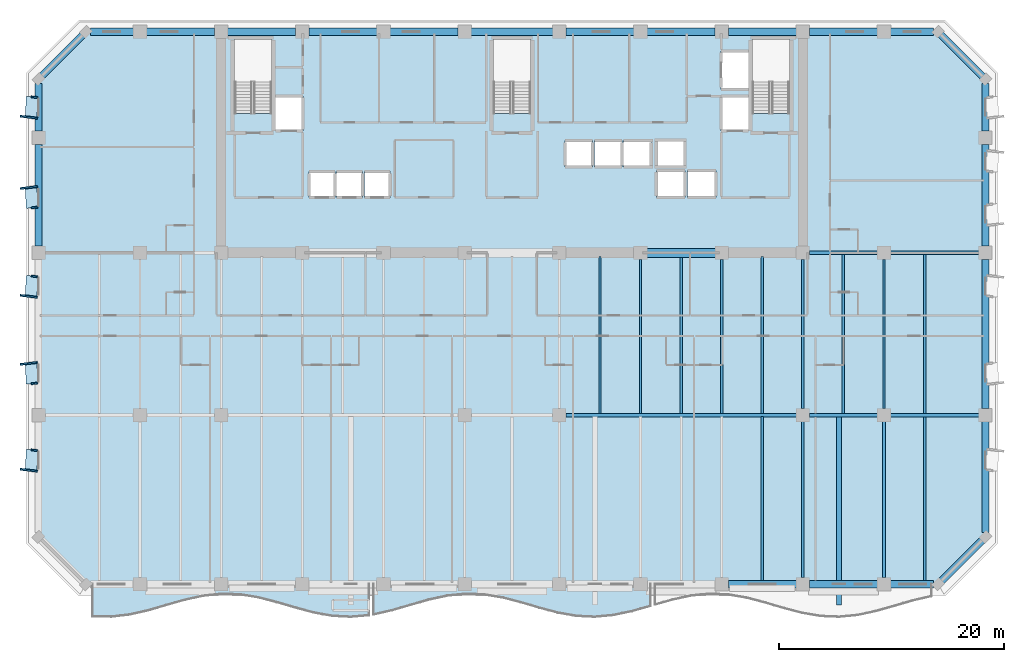
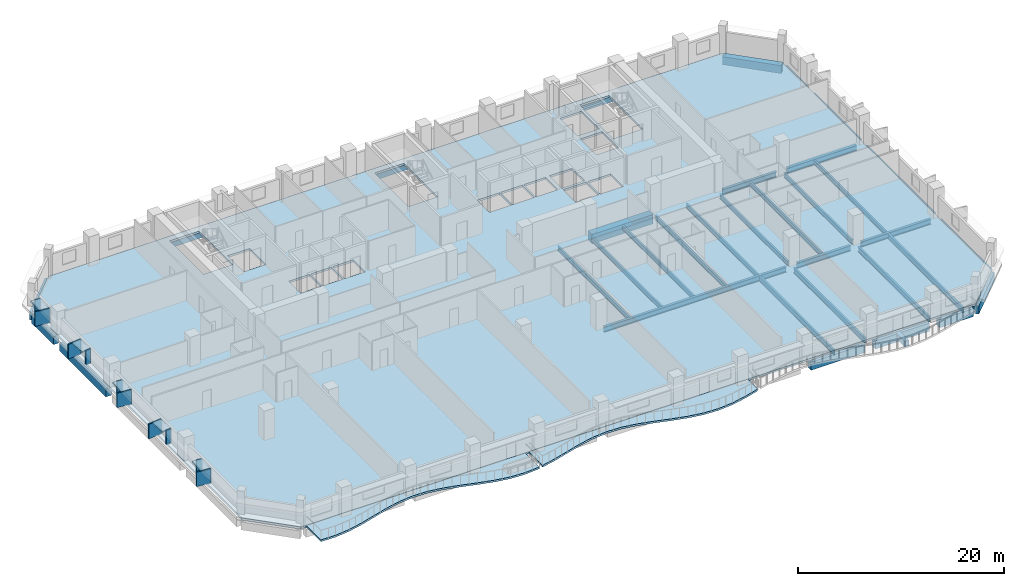
# One storey, part 2 of 15: 43 beams, 15 plates, 3 slabs.
"""IFC4 building model written with IfcOpenShell, lengths in metres."""

from ifc_helpers import new_model, si_unit, direction, frame, origin, origin_2d, place, context, subcontext, project, spatial, polyline, rectangle, i_section, outline, extrude, material, layer, layer_set, material_profile, profile_set, type_object, element, save


model = new_model("IFC4")

# Units and contexts
model_context = context("Model", 3, precision=1e-05, world=origin(), true_north=direction((0.0, 1.0)))
body_context = subcontext(model_context, "Body", "Model", "MODEL_VIEW")
ifc_project = project(units=[si_unit("LENGTHUNIT", "METRE"), si_unit("AREAUNIT", "SQUARE_METRE"), si_unit("VOLUMEUNIT", "CUBIC_METRE"), si_unit("PLANEANGLEUNIT", "RADIAN"), si_unit("MASSUNIT", "GRAM", prefix="KILO")], contexts=[model_context])

# Site, building, storey
site_placement = place(None, origin())
site = spatial("IfcSite", under=ifc_project, at=site_placement, CompositionType="ELEMENT")
building_placement = place(site_placement, origin())
building = spatial("IfcBuilding", under=site, at=building_placement, Name="Kaelvorn Grand Hotel", CompositionType="ELEMENT")
storey_placement = place(building_placement, frame((0.0, 0.0, 100.550048828125)))
storey = spatial("IfcBuildingStorey", under=building, at=storey_placement, Name="L23", CompositionType="ELEMENT", Elevation=100.550048828125)

# Beams
ifc_material_1 = material(Name="Steel S355", Category="steel")
ifc_material_profile_1 = material_profile(ifc_material_1, i_section(OverallWidth=0.300048828125, OverallDepth=0.64990234375, WebThickness=0.01611328125, FlangeThickness=0.031005859375, FilletRadius=0.027099609375, at=origin_2d()), Name="HEB 650")
ifc_profile_set_1 = profile_set([ifc_material_profile_1], Name="Steel S355")
beam_type_1 = type_object("IfcBeamType", Name="BM-G-HEB650-S355", PredefinedType="BEAM", material=ifc_profile_set_1)
beam_1_placement = place(storey_placement, frame((46.784912109375, 15.0, -0.56494140625), z_axis=(1.0, 0.0, 0.0), x_axis=(0.0, 1.0, 0.0)))
element("IfcBeam", 1, at=beam_1_placement, inside=storey, type_object=beam_type_1, Name="L23 Primary Spine Steel Girder G-15 05", PredefinedType="BEAM", context=body_context, shape_type="SweptSolid", body=[
    extrude(i_section(OverallWidth=0.300048828125, OverallDepth=0.64990234375, WebThickness=0.01611328125, FlangeThickness=0.031005859375, FilletRadius=0.027099609375, at=origin_2d()), origin(), (0.0, 0.0, 1.0), 20.43017578125),
])
beam_2_placement = place(storey_placement, frame((68.385009765625, 15.0, -0.56494140625), z_axis=(1.0, 0.0, 0.0), x_axis=(0.0, 1.0, 0.0)))
element("IfcBeam", 2, at=beam_2_placement, inside=storey, type_object=beam_type_1, Name="L23 Primary Spine Steel Girder G-15 06", PredefinedType="BEAM", context=body_context, shape_type="SweptSolid", body=[
    extrude(i_section(OverallWidth=0.300048828125, OverallDepth=0.64990234375, WebThickness=0.01611328125, FlangeThickness=0.031005859375, FilletRadius=0.027099609375, at=origin_2d()), origin(), (0.0, 0.0, 1.0), 6.030029296875),
])
beam_3_placement = place(storey_placement, frame((75.5849609375, 15.0, -0.56494140625), z_axis=(1.0, 0.0, 0.0), x_axis=(0.0, 1.0, 0.0)))
element("IfcBeam", 3, at=beam_3_placement, inside=storey, type_object=beam_type_1, Name="L23 Primary Spine Steel Girder G-15 07", PredefinedType="BEAM", context=body_context, shape_type="SweptSolid", body=[
    extrude(i_section(OverallWidth=0.300048828125, OverallDepth=0.64990234375, WebThickness=0.01611328125, FlangeThickness=0.031005859375, FilletRadius=0.027099609375, at=origin_2d()), origin(), (0.0, 0.0, 1.0), 7.830078125),
])
beam_4_placement = place(storey_placement, frame((68.385009765625, 29.39990234375, -0.56494140625), z_axis=(1.0, 0.0, 0.0), x_axis=(0.0, 1.0, 0.0)))
element("IfcBeam", 4, at=beam_4_placement, inside=storey, type_object=beam_type_1, Name="L23 East Core Wing Steel Girder G-29E 01", PredefinedType="BEAM", context=body_context, shape_type="SweptSolid", body=[
    extrude(i_section(OverallWidth=0.300048828125, OverallDepth=0.64990234375, WebThickness=0.01611328125, FlangeThickness=0.031005859375, FilletRadius=0.027099609375, at=origin_2d()), origin(), (0.0, 0.0, 1.0), 6.030029296875),
])
beam_5_placement = place(storey_placement, frame((75.5849609375, 29.39990234375, -0.56494140625), z_axis=(1.0, 0.0, 0.0), x_axis=(0.0, 1.0, 0.0)))
element("IfcBeam", 5, at=beam_5_placement, inside=storey, type_object=beam_type_1, Name="L23 East Core Wing Steel Girder G-29E 02", PredefinedType="BEAM", context=body_context, shape_type="SweptSolid", body=[
    extrude(i_section(OverallWidth=0.300048828125, OverallDepth=0.64990234375, WebThickness=0.01611328125, FlangeThickness=0.031005859375, FilletRadius=0.027099609375, at=origin_2d()), origin(), (0.0, 0.0, 1.0), 7.830078125),
])
ifc_material_profile_2 = material_profile(ifc_material_1, i_section(OverallWidth=0.209228515625, OverallDepth=0.533203125, WebThickness=0.010009765625, FlangeThickness=0.015625, FilletRadius=0.0126953125, at=origin_2d()), Name="UB 533x210x92")
ifc_profile_set_2 = profile_set([ifc_material_profile_2], Name="Steel S355")
beam_type_2 = type_object("IfcBeamType", Name="BM-J-UB533-S355", PredefinedType="JOIST", material=ifc_profile_set_2)
beam_6_placement = place(storey_placement, frame((49.800048828125, 15.135009765625, -0.506591796875), z_axis=(0.0, 1.0, 0.0), x_axis=(-1.0, 0.0, 0.0)))
element("IfcBeam", 6, at=beam_6_placement, inside=storey, type_object=beam_type_2, Name="L23 Composite Floor Joist JM-14", PredefinedType="JOIST", context=body_context, shape_type="SweptSolid", body=[
    extrude(i_section(OverallWidth=0.209228515625, OverallDepth=0.533203125, WebThickness=0.010009765625, FlangeThickness=0.015625, FilletRadius=0.0126953125, at=origin_2d()), origin(), (0.0, 0.0, 1.0), 13.925048828125),
])
beam_7_placement = place(storey_placement, frame((53.39990234375, 15.135009765625, -0.506591796875), z_axis=(0.0, 1.0, 0.0), x_axis=(-1.0, 0.0, 0.0)))
element("IfcBeam", 7, at=beam_7_placement, inside=storey, type_object=beam_type_2, Name="L23 Composite Floor Joist JM-15", PredefinedType="JOIST", context=body_context, shape_type="SweptSolid", body=[
    extrude(i_section(OverallWidth=0.209228515625, OverallDepth=0.533203125, WebThickness=0.010009765625, FlangeThickness=0.015625, FilletRadius=0.0126953125, at=origin_2d()), origin(), (0.0, 0.0, 1.0), 13.679931640625),
])
beam_8_placement = place(storey_placement, frame((57.0, 15.135009765625, -0.506591796875), z_axis=(0.0, 1.0, 0.0), x_axis=(-1.0, 0.0, 0.0)))
element("IfcBeam", 8, at=beam_8_placement, inside=storey, type_object=beam_type_2, Name="L23 Composite Floor Joist JM-16", PredefinedType="JOIST", context=body_context, shape_type="SweptSolid", body=[
    extrude(i_section(OverallWidth=0.209228515625, OverallDepth=0.533203125, WebThickness=0.010009765625, FlangeThickness=0.015625, FilletRadius=0.0126953125, at=origin_2d()), origin(), (0.0, 0.0, 1.0), 13.925048828125),
])
beam_9_placement = place(storey_placement, frame((60.60009765625, 15.135009765625, -0.506591796875), z_axis=(0.0, 1.0, 0.0), x_axis=(-1.0, 0.0, 0.0)))
element("IfcBeam", 9, at=beam_9_placement, inside=storey, type_object=beam_type_2, Name="L23 Composite Floor Joist JM-17", PredefinedType="JOIST", context=body_context, shape_type="SweptSolid", body=[
    extrude(i_section(OverallWidth=0.209228515625, OverallDepth=0.533203125, WebThickness=0.010009765625, FlangeThickness=0.015625, FilletRadius=0.0126953125, at=origin_2d()), origin(), (0.0, 0.0, 1.0), 13.679931640625),
])
beam_10_placement = place(storey_placement, frame((64.199951171875, 15.135009765625, -0.506591796875), z_axis=(0.0, 1.0, 0.0), x_axis=(-1.0, 0.0, 0.0)))
element("IfcBeam", 10, at=beam_10_placement, inside=storey, type_object=beam_type_2, Name="L23 Composite Floor Joist JM-18", PredefinedType="JOIST", context=body_context, shape_type="SweptSolid", body=[
    extrude(i_section(OverallWidth=0.209228515625, OverallDepth=0.533203125, WebThickness=0.010009765625, FlangeThickness=0.015625, FilletRadius=0.0126953125, at=origin_2d()), origin(), (0.0, 0.0, 1.0), 13.925048828125),
])
beam_11_placement = place(storey_placement, frame((67.800048828125, 15.5849609375, -0.506591796875), z_axis=(0.0, 1.0, 0.0), x_axis=(-1.0, 0.0, 0.0)))
element("IfcBeam", 11, at=beam_11_placement, inside=storey, type_object=beam_type_2, Name="L23 Composite Floor Joist JM-19", PredefinedType="JOIST", context=body_context, shape_type="SweptSolid", body=[
    extrude(i_section(OverallWidth=0.209228515625, OverallDepth=0.533203125, WebThickness=0.010009765625, FlangeThickness=0.015625, FilletRadius=0.0126953125, at=origin_2d()), origin(), (0.0, 0.0, 1.0), 13.22998046875),
])
beam_12_placement = place(storey_placement, frame((71.39990234375, 15.135009765625, -0.506591796875), z_axis=(0.0, 1.0, 0.0), x_axis=(-1.0, 0.0, 0.0)))
element("IfcBeam", 12, at=beam_12_placement, inside=storey, type_object=beam_type_2, Name="L23 Composite Floor Joist JM-20", PredefinedType="JOIST", context=body_context, shape_type="SweptSolid", body=[
    extrude(i_section(OverallWidth=0.209228515625, OverallDepth=0.533203125, WebThickness=0.010009765625, FlangeThickness=0.015625, FilletRadius=0.0126953125, at=origin_2d()), origin(), (0.0, 0.0, 1.0), 14.1298828125),
])
beam_13_placement = place(storey_placement, frame((75.0, 15.5849609375, -0.506591796875), z_axis=(0.0, 1.0, 0.0), x_axis=(-1.0, 0.0, 0.0)))
element("IfcBeam", 13, at=beam_13_placement, inside=storey, type_object=beam_type_2, Name="L23 Composite Floor Joist JM-21", PredefinedType="JOIST", context=body_context, shape_type="SweptSolid", body=[
    extrude(i_section(OverallWidth=0.209228515625, OverallDepth=0.533203125, WebThickness=0.010009765625, FlangeThickness=0.015625, FilletRadius=0.0126953125, at=origin_2d()), origin(), (0.0, 0.0, 1.0), 13.22998046875),
])
beam_14_placement = place(storey_placement, frame((78.60009765625, 15.135009765625, -0.506591796875), z_axis=(0.0, 1.0, 0.0), x_axis=(-1.0, 0.0, 0.0)))
element("IfcBeam", 14, at=beam_14_placement, inside=storey, type_object=beam_type_2, Name="L23 Composite Floor Joist JM-22", PredefinedType="JOIST", context=body_context, shape_type="SweptSolid", body=[
    extrude(i_section(OverallWidth=0.209228515625, OverallDepth=0.533203125, WebThickness=0.010009765625, FlangeThickness=0.015625, FilletRadius=0.0126953125, at=origin_2d()), origin(), (0.0, 0.0, 1.0), 14.1298828125),
])
ifc_material_profile_3 = material_profile(ifc_material_1, i_section(OverallWidth=0.22900390625, OverallDepth=0.6123046875, WebThickness=0.011962890625, FlangeThickness=0.01953125, FilletRadius=0.0126953125, at=origin_2d()), Name="UB 610x229x125")
ifc_profile_set_3 = profile_set([ifc_material_profile_3], Name="Steel S355")
beam_type_3 = type_object("IfcBeamType", Name="BM-J-UB610-S355", PredefinedType="JOIST", material=ifc_profile_set_3)
beam_15_placement = place(storey_placement, frame((64.199951171875, 0.31005859375, -0.546142578125), z_axis=(0.0, 1.0, 0.0), x_axis=(-1.0, 0.0, 0.0)))
element("IfcBeam", 15, at=beam_15_placement, inside=storey, type_object=beam_type_3, Name="L23 Composite Floor Joist JS-18", PredefinedType="JOIST", context=body_context, shape_type="SweptSolid", body=[
    extrude(i_section(OverallWidth=0.22900390625, OverallDepth=0.6123046875, WebThickness=0.011962890625, FlangeThickness=0.01953125, FilletRadius=0.0126953125, at=origin_2d()), origin(), (0.0, 0.0, 1.0), 14.554931640625),
])
for number, where, z_axis, x_axis, name in (
    (16, (67.800048828125, 0.5849609375, -0.546142578125), (0.0, 1.0, 0.0), (-1.0, 0.0, 0.0), "L23 Composite Floor Joist JS-19"),
    (17, (75.0, 0.5849609375, -0.546142578125), (0.0, 1.0, 0.0), (-1.0, 0.0, 0.0), "L23 Composite Floor Joist JS-21"),
):
    element("IfcBeam", number, at=place(storey_placement, frame(where, z_axis=z_axis, x_axis=x_axis)), inside=storey, type_object=beam_type_3, Name=name, PredefinedType="JOIST", context=body_context, shape_type="SweptSolid", body=[
        extrude(i_section(OverallWidth=0.22900390625, OverallDepth=0.6123046875, WebThickness=0.011962890625, FlangeThickness=0.01953125, FilletRadius=0.0126953125, at=origin_2d()), origin(), (0.0, 0.0, 1.0), 13.830078125),
    ])
beam_16_placement = place(storey_placement, frame((78.60009765625, 0.31005859375, -0.546142578125), z_axis=(0.0, 1.0, 0.0), x_axis=(-1.0, 0.0, 0.0)))
element("IfcBeam", 18, at=beam_16_placement, inside=storey, type_object=beam_type_3, Name="L23 Composite Floor Joist JS-22", PredefinedType="JOIST", context=body_context, shape_type="SweptSolid", body=[
    extrude(i_section(OverallWidth=0.22900390625, OverallDepth=0.6123046875, WebThickness=0.011962890625, FlangeThickness=0.01953125, FilletRadius=0.0126953125, at=origin_2d()), origin(), (0.0, 0.0, 1.0), 14.554931640625),
])
ifc_material_2 = material(Name="Concrete C60/75", Category="concrete")
ifc_material_profile_4 = material_profile(ifc_material_2, rectangle(XDim=0.800048828125, YDim=1.10009765625, at=origin_2d()), Name="RC LINTEL 800x1100")
ifc_profile_set_4 = profile_set([ifc_material_profile_4], Name="Concrete C60/75")
beam_type_4 = type_object("IfcBeamType", Name="BM-LIN-800x1100-C60", PredefinedType="LINTEL", material=ifc_profile_set_4)
beam_17_placement = place(storey_placement, frame((53.580078125, 29.39990234375, -0.7900390625), z_axis=(1.0, 0.0, 0.0), x_axis=(0.0, 1.0, 0.0)))
element("IfcBeam", 19, at=beam_17_placement, inside=storey, type_object=beam_type_4, Name="L23 Rear-Core Coupling Lintel Beam CB1-03", PredefinedType="LINTEL", context=body_context, shape_type="SweptSolid", body=[
    extrude(rectangle(XDim=0.800048828125, YDim=1.10009765625, at=origin_2d()), origin(), (0.0, 0.0, 1.0), 6.83984375),
])
ifc_material_3 = material(Name="Concrete C40/50", Category="concrete")
ifc_material_profile_5 = material_profile(ifc_material_3, rectangle(XDim=0.449951171875, YDim=0.64990234375, at=origin_2d()), Name="RC RIB 450x650")
ifc_profile_set_5 = profile_set([ifc_material_profile_5], Name="Concrete C40/50")
beam_type_5 = type_object("IfcBeamType", Name="BM-RIB-450x650-C40", PredefinedType="SPANDREL", material=ifc_profile_set_5)
beam_18_placement = place(storey_placement, frame((71.022216796875, -1.85009765625, -0.545166015625), z_axis=(0.0, 1.0, 0.0), x_axis=(-1.0, 0.0, 0.0)))
element("IfcBeam", 20, at=beam_18_placement, inside=storey, type_object=beam_type_5, Name="L23 Cantilevered Balcony Back-Span Rib RB1-3", PredefinedType="SPANDREL", context=body_context, shape_type="SweptSolid", body=[
    extrude(rectangle(XDim=0.449951171875, YDim=0.64990234375, at=origin_2d()), origin(), (0.0, 0.0, 1.0), 16.715087890625),
])
ifc_material_profile_6 = material_profile(ifc_material_2, rectangle(XDim=0.64990234375, YDim=0.949951171875, at=origin_2d()), Name="RC SPANDREL 650x950")
ifc_profile_set_6 = profile_set([ifc_material_profile_6], Name="Concrete C60/75")
beam_type_6 = type_object("IfcBeamType", Name="BM-SP-650x950-C60", PredefinedType="SPANDREL", material=ifc_profile_set_6)
for number, where, z_axis, x_axis, name in (
    (21, (61.18505859375, 0.0, -0.715087890625), (1.0, 0.0, 0.0), (0.0, 1.0, 0.0), "L23 South Perimeter Spandrel 09"),
    (22, (68.385009765625, 0.0, -0.715087890625), (1.0, 0.0, 0.0), (0.0, 1.0, 0.0), "L23 South Perimeter Spandrel 10"),
):
    element("IfcBeam", number, at=place(storey_placement, frame(where, z_axis=z_axis, x_axis=x_axis)), inside=storey, type_object=beam_type_6, Name=name, PredefinedType="SPANDREL", context=body_context, shape_type="SweptSolid", body=[
        extrude(rectangle(XDim=0.64990234375, YDim=0.949951171875, at=origin_2d()), origin(), (0.0, 0.0, 1.0), 6.030029296875),
    ])
for number, where, z_axis, x_axis, name in (
    (23, (75.5849609375, 0.0, -0.715087890625), (1.0, 0.0, 0.0), (0.0, 1.0, 0.0), "L23 South Perimeter Spandrel 11"),
    (24, (4.60498046875, 49.0, -0.715087890625), (1.0, 0.0, 0.0), (0.0, 1.0, 0.0), "L23 North Perimeter Spandrel 01"),
):
    element("IfcBeam", number, at=place(storey_placement, frame(where, z_axis=z_axis, x_axis=x_axis)), inside=storey, type_object=beam_type_6, Name=name, PredefinedType="SPANDREL", context=body_context, shape_type="SweptSolid", body=[
        extrude(rectangle(XDim=0.64990234375, YDim=0.949951171875, at=origin_2d()), origin(), (0.0, 0.0, 1.0), 3.81005859375),
    ])
for number, where, z_axis, x_axis, name in (
    (25, (9.5849609375, 49.0, -0.715087890625), (1.0, 0.0, 0.0), (0.0, 1.0, 0.0), "L23 North Perimeter Spandrel 02"),
    (26, (16.784912109375, 49.0, -0.715087890625), (1.0, 0.0, 0.0), (0.0, 1.0, 0.0), "L23 North Perimeter Spandrel 03"),
):
    element("IfcBeam", number, at=place(storey_placement, frame(where, z_axis=z_axis, x_axis=x_axis)), inside=storey, type_object=beam_type_6, Name=name, PredefinedType="SPANDREL", context=body_context, shape_type="SweptSolid", body=[
        extrude(rectangle(XDim=0.64990234375, YDim=0.949951171875, at=origin_2d()), origin(), (0.0, 0.0, 1.0), 6.030029296875),
    ])
beam_19_placement = place(storey_placement, frame((23.985107421875, 49.0, -0.715087890625), z_axis=(1.0, 0.0, 0.0), x_axis=(0.0, 1.0, 0.0)))
element("IfcBeam", 27, at=beam_19_placement, inside=storey, type_object=beam_type_6, Name="L23 North Perimeter Spandrel 04", PredefinedType="SPANDREL", context=body_context, shape_type="SweptSolid", body=[
    extrude(rectangle(XDim=0.64990234375, YDim=0.949951171875, at=origin_2d()), origin(), (0.0, 0.0, 1.0), 6.02978515625),
])
beam_20_placement = place(storey_placement, frame((31.18505859375, 49.0, -0.715087890625), z_axis=(1.0, 0.0, 0.0), x_axis=(0.0, 1.0, 0.0)))
element("IfcBeam", 28, at=beam_20_placement, inside=storey, type_object=beam_type_6, Name="L23 North Perimeter Spandrel 05", PredefinedType="SPANDREL", context=body_context, shape_type="SweptSolid", body=[
    extrude(rectangle(XDim=0.64990234375, YDim=0.949951171875, at=origin_2d()), origin(), (0.0, 0.0, 1.0), 6.030029296875),
])
beam_21_placement = place(storey_placement, frame((38.385009765625, 49.0, -0.715087890625), z_axis=(1.0, 0.0, 0.0), x_axis=(0.0, 1.0, 0.0)))
element("IfcBeam", 29, at=beam_21_placement, inside=storey, type_object=beam_type_6, Name="L23 North Perimeter Spandrel 06", PredefinedType="SPANDREL", context=body_context, shape_type="SweptSolid", body=[
    extrude(rectangle(XDim=0.64990234375, YDim=0.949951171875, at=origin_2d()), origin(), (0.0, 0.0, 1.0), 7.22998046875),
])
beam_22_placement = place(storey_placement, frame((46.784912109375, 49.0, -0.715087890625), z_axis=(1.0, 0.0, 0.0), x_axis=(0.0, 1.0, 0.0)))
element("IfcBeam", 30, at=beam_22_placement, inside=storey, type_object=beam_type_6, Name="L23 North Perimeter Spandrel 07", PredefinedType="SPANDREL", context=body_context, shape_type="SweptSolid", body=[
    extrude(rectangle(XDim=0.64990234375, YDim=0.949951171875, at=origin_2d()), origin(), (0.0, 0.0, 1.0), 6.030029296875),
])
beam_23_placement = place(storey_placement, frame((53.985107421875, 49.0, -0.715087890625), z_axis=(1.0, 0.0, 0.0), x_axis=(0.0, 1.0, 0.0)))
element("IfcBeam", 31, at=beam_23_placement, inside=storey, type_object=beam_type_6, Name="L23 North Perimeter Spandrel 08", PredefinedType="SPANDREL", context=body_context, shape_type="SweptSolid", body=[
    extrude(rectangle(XDim=0.64990234375, YDim=0.949951171875, at=origin_2d()), origin(), (0.0, 0.0, 1.0), 6.02978515625),
])
for number, where, z_axis, x_axis, name in (
    (32, (61.18505859375, 49.0, -0.715087890625), (1.0, 0.0, 0.0), (0.0, 1.0, 0.0), "L23 North Perimeter Spandrel 09"),
    (33, (68.385009765625, 49.0, -0.715087890625), (1.0, 0.0, 0.0), (0.0, 1.0, 0.0), "L23 North Perimeter Spandrel 10"),
):
    element("IfcBeam", number, at=place(storey_placement, frame(where, z_axis=z_axis, x_axis=x_axis)), inside=storey, type_object=beam_type_6, Name=name, PredefinedType="SPANDREL", context=body_context, shape_type="SweptSolid", body=[
        extrude(rectangle(XDim=0.64990234375, YDim=0.949951171875, at=origin_2d()), origin(), (0.0, 0.0, 1.0), 6.030029296875),
    ])
beam_24_placement = place(storey_placement, frame((75.5849609375, 49.0, -0.715087890625), z_axis=(1.0, 0.0, 0.0), x_axis=(0.0, 1.0, 0.0)))
element("IfcBeam", 34, at=beam_24_placement, inside=storey, type_object=beam_type_6, Name="L23 North Perimeter Spandrel 11", PredefinedType="SPANDREL", context=body_context, shape_type="SweptSolid", body=[
    extrude(rectangle(XDim=0.64990234375, YDim=0.949951171875, at=origin_2d()), origin(), (0.0, 0.0, 1.0), 3.81005859375),
])
beam_25_placement = place(storey_placement, frame((0.0, 29.985107421875, -0.715087890625), z_axis=(0.0, 1.0, 0.0), x_axis=(-1.0, 0.0, 0.0)))
element("IfcBeam", 35, at=beam_25_placement, inside=storey, type_object=beam_type_6, Name="L23 West Perimeter Spandrel 03", PredefinedType="SPANDREL", context=body_context, shape_type="SweptSolid", body=[
    extrude(rectangle(XDim=0.64990234375, YDim=0.949951171875, at=origin_2d()), origin(), (0.0, 0.0, 1.0), 9.02978515625),
])
beam_26_placement = place(storey_placement, frame((0.0, 40.18505859375, -0.715087890625), z_axis=(0.0, 1.0, 0.0), x_axis=(-1.0, 0.0, 0.0)))
element("IfcBeam", 36, at=beam_26_placement, inside=storey, type_object=beam_type_6, Name="L23 West Perimeter Spandrel 04", PredefinedType="SPANDREL", context=body_context, shape_type="SweptSolid", body=[
    extrude(rectangle(XDim=0.64990234375, YDim=0.949951171875, at=origin_2d()), origin(), (0.0, 0.0, 1.0), 4.2099609375),
])
beam_27_placement = place(storey_placement, frame((84.0, 4.60498046875, -0.715087890625), z_axis=(0.0, 1.0, 0.0), x_axis=(-1.0, 0.0, 0.0)))
element("IfcBeam", 37, at=beam_27_placement, inside=storey, type_object=beam_type_6, Name="L23 East Perimeter Spandrel 01", PredefinedType="SPANDREL", context=body_context, shape_type="SweptSolid", body=[
    extrude(rectangle(XDim=0.64990234375, YDim=0.949951171875, at=origin_2d()), origin(), (0.0, 0.0, 1.0), 9.81005859375),
])
beam_28_placement = place(storey_placement, frame((84.0, 15.5849609375, -0.715087890625), z_axis=(0.0, 1.0, 0.0), x_axis=(-1.0, 0.0, 0.0)))
element("IfcBeam", 38, at=beam_28_placement, inside=storey, type_object=beam_type_6, Name="L23 East Perimeter Spandrel 02", PredefinedType="SPANDREL", context=body_context, shape_type="SweptSolid", body=[
    extrude(rectangle(XDim=0.64990234375, YDim=0.949951171875, at=origin_2d()), origin(), (0.0, 0.0, 1.0), 13.22998046875),
])
beam_29_placement = place(storey_placement, frame((84.0, 29.985107421875, -0.715087890625), z_axis=(0.0, 1.0, 0.0), x_axis=(-1.0, 0.0, 0.0)))
element("IfcBeam", 39, at=beam_29_placement, inside=storey, type_object=beam_type_6, Name="L23 East Perimeter Spandrel 03", PredefinedType="SPANDREL", context=body_context, shape_type="SweptSolid", body=[
    extrude(rectangle(XDim=0.64990234375, YDim=0.949951171875, at=origin_2d()), origin(), (0.0, 0.0, 1.0), 9.02978515625),
])
beam_30_placement = place(storey_placement, frame((84.0, 40.18505859375, -0.715087890625), z_axis=(0.0, 1.0, 0.0), x_axis=(-1.0, 0.0, 0.0)))
element("IfcBeam", 40, at=beam_30_placement, inside=storey, type_object=beam_type_6, Name="L23 East Perimeter Spandrel 04", PredefinedType="SPANDREL", context=body_context, shape_type="SweptSolid", body=[
    extrude(rectangle(XDim=0.64990234375, YDim=0.949951171875, at=origin_2d()), origin(), (0.0, 0.0, 1.0), 4.2099609375),
])
for number, where, z_axis, x_axis, name in (
    (41, (79.800048828125, 0.0, -0.715087890625), (0.707106781187, 0.707106781187, 0.0), (-0.707106781187, 0.707106781187, 0.0), "L23 Chamfer Spandrel Beam 1"),
    (42, (84.0, 44.800048828125, -0.715087890625), (-0.707106781187, 0.707106781187, 0.0), (-0.707106781187, -0.707106781187, 0.0), "L23 Chamfer Spandrel Beam 2"),
    (43, (4.199951171875, 49.0, -0.715087890625), (-0.707106781187, -0.707106781187, 0.0), (0.707106781187, -0.707106781187, 0.0), "L23 Chamfer Spandrel Beam 3"),
):
    element("IfcBeam", number, at=place(storey_placement, frame(where, z_axis=z_axis, x_axis=x_axis)), inside=storey, type_object=beam_type_6, Name=name, PredefinedType="SPANDREL", context=body_context, shape_type="SweptSolid", body=[
        extrude(rectangle(XDim=0.64990234375, YDim=0.949951171875, at=origin_2d()), origin(), (0.0, 0.0, 1.0), 5.939697265625),
    ])

# Plates
ifc_material_4 = material(Name="Precast concrete C45/55", Category="concrete")
ifc_layer_1 = layer(ifc_material_4, 0.159912109375)
ifc_layer_set_1 = layer_set([ifc_layer_1], Name="Precast concrete C45/55")
plate_type_1 = type_object("IfcPlateType", Name="PL-FRAME-DEEP-1550", PredefinedType="USERDEFINED", material=ifc_layer_set_1)
for number, where, z_axis, x_axis, name in (
    (44, (-0.864990234375, 10.110107421875, 0.68994140625), (0.0, 0.0, 1.0), (0.121869343405, 0.992546151641, 0.0), "L23 Tilted Precast Window Frame Fin L-W01"),
    (45, (-0.864990234375, 19.590087890625, 0.68994140625), (0.0, 0.0, 1.0), (-0.121869343405, 0.992546151641, 0.0), "L23 Tilted Precast Window Frame Fin R-W02"),
    (46, (-0.864990234375, 25.534912109375, 0.68994140625), (0.0, 0.0, 1.0), (0.121869343405, 0.992546151641, 0.0), "L23 Tilted Precast Window Frame Fin L-W03"),
    (47, (-0.864990234375, 35.18994140625, 0.68994140625), (0.0, 0.0, 1.0), (-0.121869343405, 0.992546151641, 0.0), "L23 Tilted Precast Window Frame Fin R-W04"),
    (48, (-0.864990234375, 41.425048828125, 0.68994140625), (0.0, 0.0, 1.0), (0.121869343405, 0.992546151641, 0.0), "L23 Tilted Precast Window Frame Fin L-W05"),
):
    element("IfcPlate", number, at=place(storey_placement, frame(where, z_axis=z_axis, x_axis=x_axis)), inside=storey, type_object=plate_type_1, Name=name, ObjectType="FLANGE_PLATE", PredefinedType="USERDEFINED", context=body_context, shape_type="SweptSolid", body=[
        extrude(rectangle(XDim=0.159912109375, YDim=1.550048828125, at=origin_2d()), origin(), (0.0, 0.0, 1.0), 1.719970703125),
    ])
ifc_layer_2 = layer(ifc_material_4, 0.159912109375)
ifc_layer_set_2 = layer_set([ifc_layer_2], Name="Precast concrete C45/55")
plate_type_2 = type_object("IfcPlateType", Name="PL-FRAME-HEAD-1050", PredefinedType="USERDEFINED", material=ifc_layer_set_2)
for number, where, z_axis, x_axis, name in (
    (49, (-0.614990234375, 11.0, 2.25), (0.0, 0.0, 1.0), (0.054950179912, 0.998489097451, 0.0), "L23 Precast Window Frame Head Hood H-W01"),
    (50, (-0.614990234375, 18.699951171875, 2.25), (0.0, 0.0, 1.0), (-0.054950179912, 0.998489097451, 0.0), "L23 Precast Window Frame Head Hood H-W02"),
    (51, (-0.614990234375, 26.425048828125, 2.25), (0.0, 0.0, 1.0), (0.054950179912, 0.998489097451, 0.0), "L23 Precast Window Frame Head Hood H-W03"),
    (52, (-0.614990234375, 34.300048828125, 2.25), (0.0, 0.0, 1.0), (-0.054950179912, 0.998489097451, 0.0), "L23 Precast Window Frame Head Hood H-W04"),
    (53, (-0.614990234375, 42.31494140625, 2.25), (0.0, 0.0, 1.0), (0.054950179912, 0.998489097451, 0.0), "L23 Precast Window Frame Head Hood H-W05"),
):
    element("IfcPlate", number, at=place(storey_placement, frame(where, z_axis=z_axis, x_axis=x_axis)), inside=storey, type_object=plate_type_2, Name=name, ObjectType="FLANGE_PLATE", PredefinedType="USERDEFINED", context=body_context, shape_type="SweptSolid", body=[
        extrude(rectangle(XDim=1.860107421875, YDim=1.050048828125, at=origin_2d()), origin(), (0.0, 0.0, 1.0), 0.159912109375),
    ])
ifc_layer_3 = layer(ifc_material_4, 0.159912109375)
ifc_layer_set_3 = layer_set([ifc_layer_3], Name="Precast concrete C45/55")
plate_type_3 = type_object("IfcPlateType", Name="PL-FRAME-SHAL-550", PredefinedType="USERDEFINED", material=ifc_layer_set_3)
for number, where, z_axis, x_axis, name in (
    (54, (-0.364990234375, 11.889892578125, 0.68994140625), (0.0, 0.0, 1.0), (0.121869343405, 0.992546151641, 0.0), "L23 Tilted Precast Window Frame Fin R-W01"),
    (55, (-0.364990234375, 17.81005859375, 0.68994140625), (0.0, 0.0, 1.0), (-0.121869343405, 0.992546151641, 0.0), "L23 Tilted Precast Window Frame Fin L-W02"),
    (56, (-0.364990234375, 27.31494140625, 0.68994140625), (0.0, 0.0, 1.0), (0.121869343405, 0.992546151641, 0.0), "L23 Tilted Precast Window Frame Fin R-W03"),
    (57, (-0.364990234375, 33.409912109375, 0.68994140625), (0.0, 0.0, 1.0), (-0.121869343405, 0.992546151641, 0.0), "L23 Tilted Precast Window Frame Fin L-W04"),
    (58, (-0.364990234375, 43.205078125, 0.68994140625), (0.0, 0.0, 1.0), (0.121869343405, 0.992546151641, 0.0), "L23 Tilted Precast Window Frame Fin R-W05"),
):
    element("IfcPlate", number, at=place(storey_placement, frame(where, z_axis=z_axis, x_axis=x_axis)), inside=storey, type_object=plate_type_3, Name=name, ObjectType="FLANGE_PLATE", PredefinedType="USERDEFINED", context=body_context, shape_type="SweptSolid", body=[
        extrude(rectangle(XDim=0.159912109375, YDim=0.550048828125, at=origin_2d()), origin(), (0.0, 0.0, 1.0), 1.719970703125),
    ])

# Slabs
ifc_layer_4 = layer(ifc_material_3, 0.219970703125)
ifc_layer_set_4 = layer_set([ifc_layer_4], Name="Concrete C40/50")
slab_type_1 = type_object("IfcSlabType", Name="SLB-BALC-220-C40", PredefinedType="FLOOR", material=ifc_layer_set_4)
slab_1_placement = place(storey_placement, frame((0.0, 0.0, -0.219970703125)))
element("IfcSlab", 59, at=slab_1_placement, inside=storey, type_object=slab_type_1, Name="L23 Scalloped Wave Balcony Slab 1", PredefinedType="FLOOR", context=body_context, shape_type="SweptSolid", body=[
    extrude(outline(polyline([(4.800048828125, -2.849853515625), (6.435546875, -2.88671875), (8.071044921875, -2.69873046875), (9.706787109375, -2.327880859375), (11.34228515625, -1.8564453125), (12.977783203125, -1.38916015625), (14.61328125, -1.02978515625), (16.248779296875, -0.858154296875), (17.884521484375, -0.912353515625), (19.52001953125, -1.180419921875), (21.155517578125, -1.602783203125), (22.791015625, -2.08544921875), (24.4267578125, -2.521484375), (26.062255859375, -2.81396484375), (27.69775390625, -2.89794921875), (29.333251953125, -2.754638671875), (29.333251953125, 0.0), (4.800048828125, 0.0), (4.800048828125, -2.849853515625)])), origin(), (0.0, 0.0, 1.0), 0.219970703125),
])
slab_2_placement = place(storey_placement, frame((0.0, 0.0, -0.219970703125)))
element("IfcSlab", 60, at=slab_2_placement, inside=storey, type_object=slab_type_1, Name="L23 Scalloped Wave Balcony Slab 2", PredefinedType="FLOOR", context=body_context, shape_type="SweptSolid", body=[
    extrude(outline(polyline([(29.7333984375, -2.6875), (31.368896484375, -2.311279296875), (33.00439453125, -1.837890625), (34.639892578125, -1.372802734375), (36.275634765625, -1.019287109375), (37.9111328125, -0.85595703125), (39.546630859375, -0.918701171875), (41.18212890625, -1.194091796875), (42.81787109375, -1.62060546875), (44.453369140625, -2.103759765625), (46.0888671875, -2.535888671875), (47.724365234375, -2.8212890625), (49.360107421875, -2.896484375), (50.99560546875, -2.744873046875), (52.631103515625, -2.400146484375), (54.2666015625, -1.9384765625), (54.2666015625, 0.0), (29.7333984375, 0.0), (29.7333984375, -2.6875)])), origin(), (0.0, 0.0, 1.0), 0.219970703125),
])
ifc_layer_5 = layer(ifc_material_3, 0.239990234375)
ifc_layer_set_5 = layer_set([ifc_layer_5], Name="Concrete C40/50")
slab_type_2 = type_object("IfcSlabType", Name="SLB-FLR-240-C40", PredefinedType="FLOOR", material=ifc_layer_set_5)
slab_3_placement = place(storey_placement, frame((0.0, 0.0, -0.239990234375)))
element("IfcSlab", 61, at=slab_3_placement, inside=storey, type_object=slab_type_2, Name="L23 Indoor Suspended Floor Slab", PredefinedType="FLOOR", context=body_context, shape_type="SweptSolid", body=[
    extrude(outline(polyline([(4.199951171875, 0.0), (79.800048828125, 0.0), (84.0, 4.199951171875), (84.0, 44.800048828125), (79.800048828125, 49.0), (4.199951171875, 49.0), (0.0, 44.800048828125), (0.0, 4.199951171875), (4.199951171875, 0.0)]), holes=[polyline([(17.39990234375, 41.760009765625), (17.39990234375, 48.300048828125), (20.679931640625, 48.300048828125), (20.679931640625, 41.760009765625), (17.39990234375, 41.760009765625)]), polyline([(40.360107421875, 41.760009765625), (40.360107421875, 48.300048828125), (43.639892578125, 48.300048828125), (43.639892578125, 41.760009765625), (40.360107421875, 41.760009765625)]), polyline([(63.320068359375, 41.760009765625), (63.320068359375, 48.300048828125), (66.60009765625, 48.300048828125), (66.60009765625, 41.760009765625), (63.320068359375, 41.760009765625)]), polyline([(24.0, 34.300048828125), (24.0, 36.60009765625), (26.300048828125, 36.60009765625), (26.300048828125, 34.300048828125), (24.0, 34.300048828125)]), polyline([(26.449951171875, 34.300048828125), (26.449951171875, 36.60009765625), (28.75, 36.60009765625), (28.75, 34.300048828125), (26.449951171875, 34.300048828125)]), polyline([(28.89990234375, 34.300048828125), (28.89990234375, 36.60009765625), (31.199951171875, 36.60009765625), (31.199951171875, 34.300048828125), (28.89990234375, 34.300048828125)]), polyline([(46.699951171875, 37.0), (46.699951171875, 39.35009765625), (49.14990234375, 39.35009765625), (49.14990234375, 37.0), (46.699951171875, 37.0)]), polyline([(49.300048828125, 37.0), (49.300048828125, 39.35009765625), (51.75, 39.35009765625), (51.75, 37.0), (49.300048828125, 37.0)]), polyline([(51.89990234375, 37.0), (51.89990234375, 39.35009765625), (54.35009765625, 39.35009765625), (54.35009765625, 37.0), (51.89990234375, 37.0)]), polyline([(54.800048828125, 34.300048828125), (54.800048828125, 36.699951171875), (57.35009765625, 36.699951171875), (57.35009765625, 34.300048828125), (54.800048828125, 34.300048828125)]), polyline([(57.550048828125, 34.300048828125), (57.550048828125, 36.699951171875), (60.10009765625, 36.699951171875), (60.10009765625, 34.300048828125), (57.550048828125, 34.300048828125)]), polyline([(54.800048828125, 37.0), (54.800048828125, 39.39990234375), (57.35009765625, 39.39990234375), (57.35009765625, 37.0), (54.800048828125, 37.0)]), polyline([(21.0, 40.199951171875), (21.0, 43.300048828125), (23.449951171875, 43.300048828125), (23.449951171875, 40.199951171875), (21.0, 40.199951171875)]), polyline([(60.550048828125, 40.199951171875), (60.550048828125, 43.300048828125), (63.0, 43.300048828125), (63.0, 40.199951171875), (60.550048828125, 40.199951171875)]), polyline([(60.550048828125, 43.89990234375), (60.550048828125, 47.300048828125), (63.0, 47.300048828125), (63.0, 43.89990234375), (60.550048828125, 43.89990234375)])]), origin(), (0.0, 0.0, 1.0), 0.239990234375),
])

save(model, "model.ifc")
